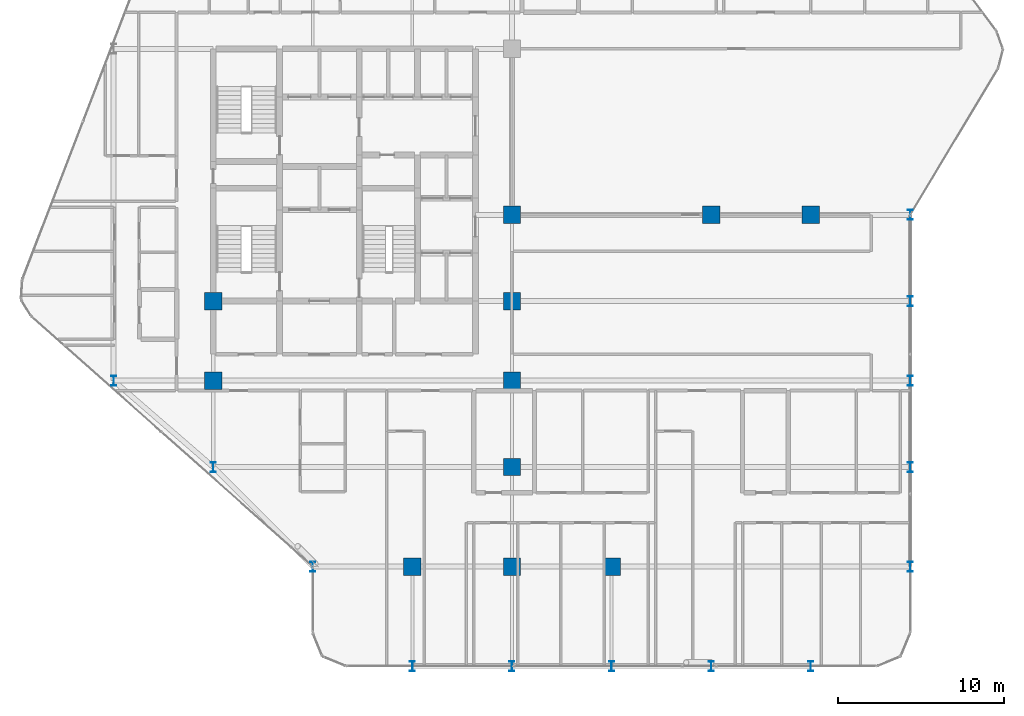
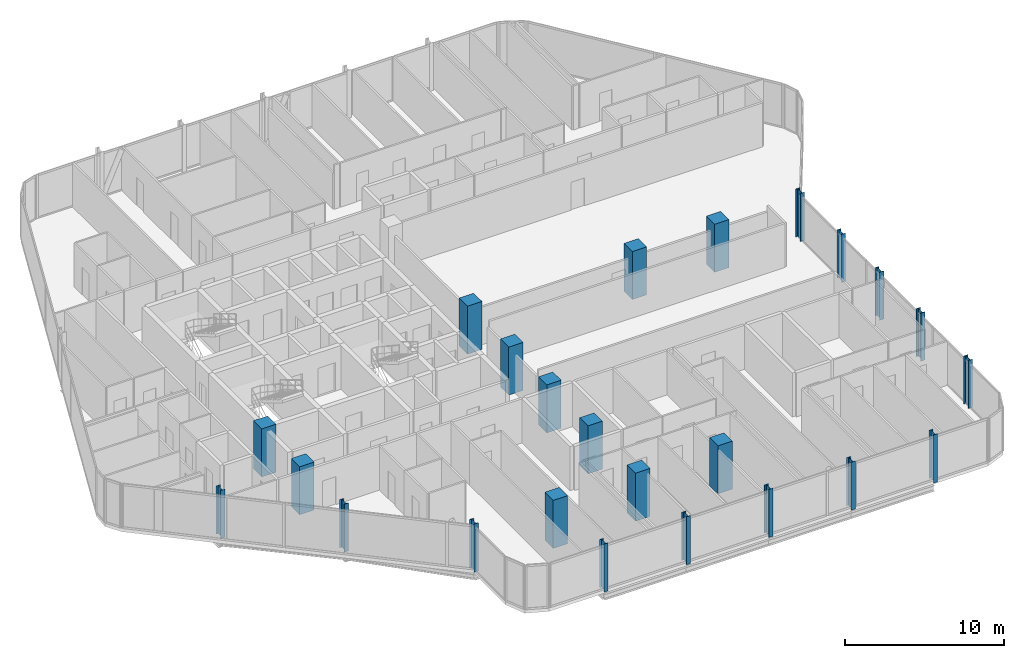
# One storey, part 1 of 30: 24 columns.
"""IFC4 building model written with IfcOpenShell, lengths in metres."""

from ifc_helpers import new_model, si_unit, direction, frame, origin, origin_2d, place, context, subcontext, project, spatial, rectangle, i_section, extrude, material, material_profile, profile_set, type_object, element, save


model = new_model("IFC4")

# Units and contexts
model_context = context("Model", 3, precision=1e-05, world=origin(), true_north=direction((0.0, 1.0)))
body_context = subcontext(model_context, "Body", "Model", "MODEL_VIEW")
ifc_project = project(units=[si_unit("LENGTHUNIT", "METRE"), si_unit("AREAUNIT", "SQUARE_METRE"), si_unit("VOLUMEUNIT", "CUBIC_METRE"), si_unit("PLANEANGLEUNIT", "RADIAN"), si_unit("MASSUNIT", "GRAM", prefix="KILO")], contexts=[model_context])

# Site, building, storey
site_placement = place(None, origin())
site = spatial("IfcSite", under=ifc_project, at=site_placement, CompositionType="ELEMENT")
building_placement = place(site_placement, origin())
building = spatial("IfcBuilding", under=site, at=building_placement, Name="Keshet Zoharim Tower", CompositionType="ELEMENT")
storey_placement = place(building_placement, frame((0.0, 0.0, 90.89990234375)))
storey = spatial("IfcBuildingStorey", under=building, at=storey_placement, Name="L21", CompositionType="ELEMENT", Elevation=90.89990234375)

# Columns
ifc_material_1 = material(Name="Steel S355", Category="steel")
ifc_material_profile_1 = material_profile(ifc_material_1, i_section(OverallWidth=0.300048828125, OverallDepth=0.60009765625, WebThickness=0.015380859375, FlangeThickness=0.030029296875, FilletRadius=0.027099609375, at=origin_2d()), Name="HEB600")
ifc_profile_set_1 = profile_set([ifc_material_profile_1], Name="Steel S355")
column_type_1 = type_object("IfcColumnType", Name="COL-HEB600", PredefinedType="COLUMN", material=ifc_profile_set_1)
for number, where, z_axis, x_axis, name in (
    (1, (9.0, 17.89990234375, 0.0), (0.0, 0.0, 1.0), (1.0, 0.0, 0.0), "L21 Column 2D"),
    (2, (15.0, 12.699951171875, 0.0), (0.0, 0.0, 1.0), (1.0, 0.0, 0.0), "L21 Column 3C"),
    (3, (21.0, 6.699951171875, 0.0), (0.0, 0.0, 1.0), (1.0, 0.0, 0.0), "L21 Column 4B"),
    (4, (27.0, 0.699951171875, 0.0), (0.0, 0.0, 1.0), (1.0, 0.0, 0.0), "L21 Column 5A"),
    (5, (33.0, 0.699951171875, 0.0), (0.0, 0.0, 1.0), (1.0, 0.0, 0.0), "L21 Column 6A"),
    (6, (39.0, 0.699951171875, 0.0), (0.0, 0.0, 1.0), (1.0, 0.0, 0.0), "L21 Column 7A"),
    (7, (45.0, 0.699951171875, 0.0), (0.0, 0.0, 1.0), (1.0, 0.0, 0.0), "L21 Column 8A"),
    (8, (51.0, 0.699951171875, 0.0), (0.0, 0.0, 1.0), (1.0, 0.0, 0.0), "L21 Column 9A"),
    (9, (57.0, 6.699951171875, 0.0), (0.0, 0.0, 1.0), (1.0, 0.0, 0.0), "L21 Column 10B"),
    (10, (57.0, 12.699951171875, 0.0), (0.0, 0.0, 1.0), (1.0, 0.0, 0.0), "L21 Column 10C"),
    (11, (57.0, 17.89990234375, 0.0), (0.0, 0.0, 1.0), (1.0, 0.0, 0.0), "L21 Column 10D"),
    (12, (57.0, 22.699951171875, 0.0), (0.0, 0.0, 1.0), (1.0, 0.0, 0.0), "L21 Column 10E"),
    (13, (57.0, 27.89990234375, 0.0), (0.0, 0.0, 1.0), (1.0, 0.0, 0.0), "L21 Column 10F"),
):
    element("IfcColumn", number, at=place(storey_placement, frame(where, z_axis=z_axis, x_axis=x_axis)), inside=storey, type_object=column_type_1, Name=name, PredefinedType="COLUMN", context=body_context, shape_type="SweptSolid", body=[
        extrude(i_section(OverallWidth=0.300048828125, OverallDepth=0.60009765625, WebThickness=0.015380859375, FlangeThickness=0.030029296875, FilletRadius=0.027099609375, at=origin_2d()), origin(), (0.0, 0.0, 1.0), 3.7001953125),
    ])
ifc_material_2 = material(Name="Concrete C60/75", Category="concrete")
ifc_material_profile_2 = material_profile(ifc_material_2, rectangle(XDim=1.050048828125, YDim=1.050048828125, at=origin_2d()), Name="RC1050x1050")
ifc_profile_set_2 = profile_set([ifc_material_profile_2], Name="Concrete C60/75")
column_type_2 = type_object("IfcColumnType", Name="COL-RC1050", PredefinedType="COLUMN", material=ifc_profile_set_2)
for number, where, z_axis, x_axis, name in (
    (14, (15.0, 17.89990234375, 0.0), (0.0, 0.0, 1.0), (1.0, 0.0, 0.0), "L21 Column 3D"),
    (15, (15.0, 22.699951171875, 0.0), (0.0, 0.0, 1.0), (1.0, 0.0, 0.0), "L21 Column 3E"),
    (16, (27.0, 6.699951171875, 0.0), (0.0, 0.0, 1.0), (1.0, 0.0, 0.0), "L21 Column 5B"),
    (17, (33.0, 6.699951171875, 0.0), (0.0, 0.0, 1.0), (1.0, 0.0, 0.0), "L21 Column 6B"),
    (18, (33.0, 12.699951171875, 0.0), (0.0, 0.0, 1.0), (1.0, 0.0, 0.0), "L21 Column 6C"),
    (19, (33.0, 17.89990234375, 0.0), (0.0, 0.0, 1.0), (1.0, 0.0, 0.0), "L21 Column 6D"),
    (20, (33.0, 22.699951171875, 0.0), (0.0, 0.0, 1.0), (1.0, 0.0, 0.0), "L21 Column 6E"),
    (21, (33.0, 27.89990234375, 0.0), (0.0, 0.0, 1.0), (1.0, 0.0, 0.0), "L21 Column 6F"),
    (22, (39.0, 6.699951171875, 0.0), (0.0, 0.0, 1.0), (1.0, 0.0, 0.0), "L21 Column 7B"),
    (23, (45.0, 27.89990234375, 0.0), (0.0, 0.0, 1.0), (1.0, 0.0, 0.0), "L21 Column 8F"),
    (24, (51.0, 27.89990234375, 0.0), (0.0, 0.0, 1.0), (1.0, 0.0, 0.0), "L21 Column 9F"),
):
    element("IfcColumn", number, at=place(storey_placement, frame(where, z_axis=z_axis, x_axis=x_axis)), inside=storey, type_object=column_type_2, Name=name, PredefinedType="COLUMN", context=body_context, shape_type="SweptSolid", body=[
        extrude(rectangle(XDim=1.050048828125, YDim=1.050048828125, at=origin_2d()), origin(), (0.0, 0.0, 1.0), 3.7001953125),
    ])

save(model, "model.ifc")
